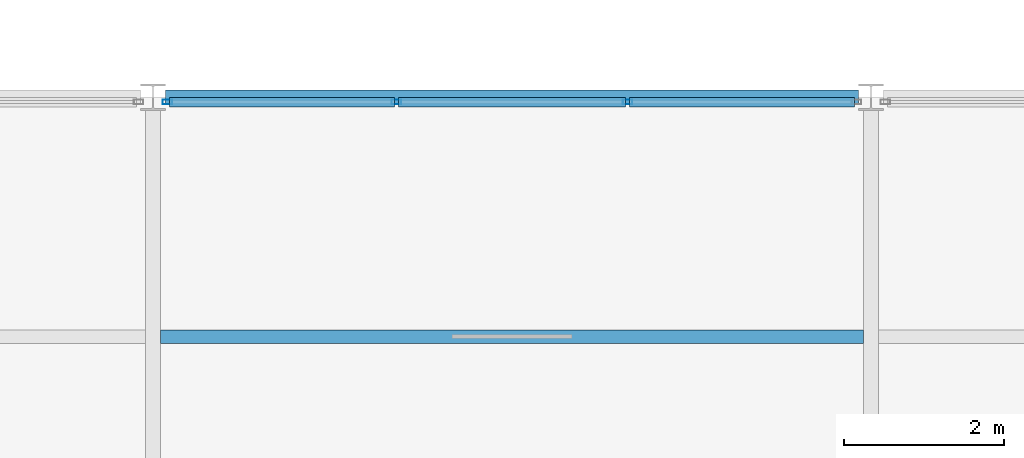
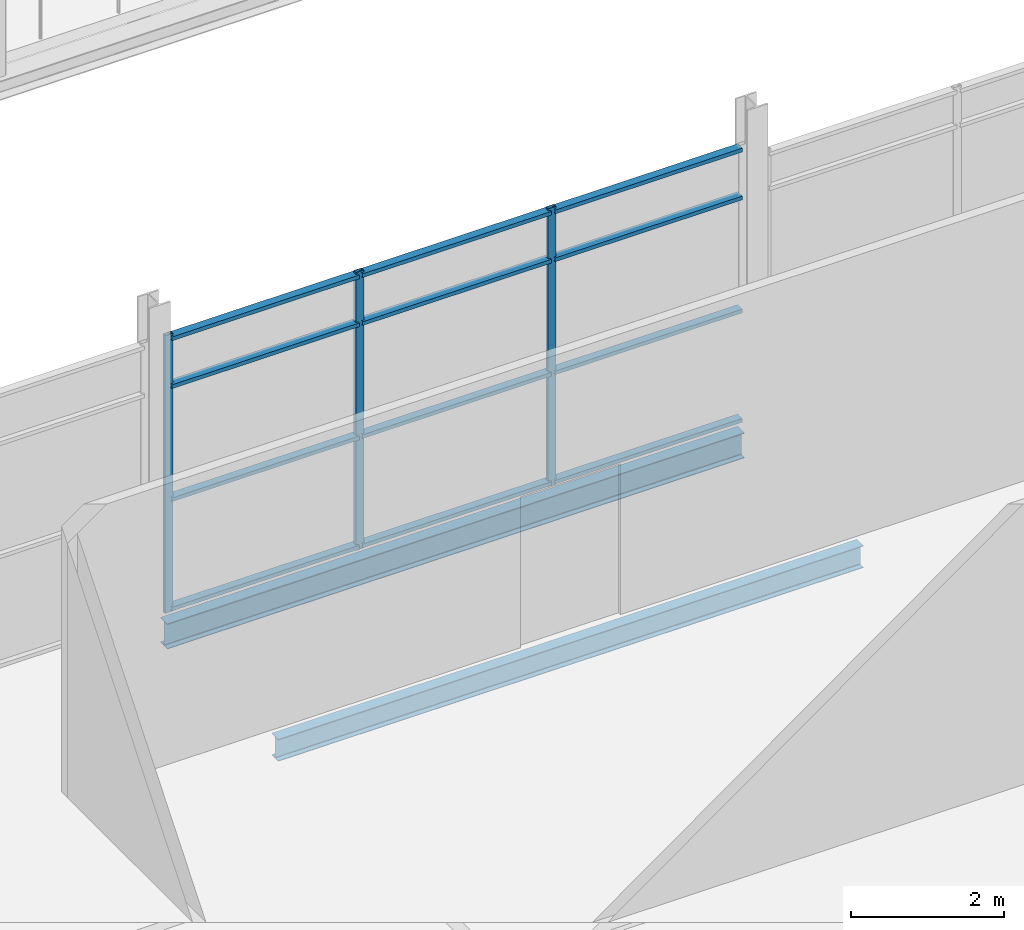
# One storey, part 27 of 115: 15 members, 2 beams, 1 element without a shape of its own.
"""IFC4 building model written with IfcOpenShell, lengths in metres."""

from ifc_helpers import new_model, si_unit, direction, frame, origin, origin_2d, place, context, subcontext, project, spatial, hollow_rectangle, i_section, extrude, material, layer, layer_set, material_profile, profile_set, type_object, element, aggregate, save


model = new_model("IFC4")

# Units and contexts
model_context = context("Model", 3, precision=1e-05, world=origin(), true_north=direction((0.0, 1.0)))
body_context = subcontext(model_context, "Body", "Model", "MODEL_VIEW")
ifc_project = project(units=[si_unit("LENGTHUNIT", "METRE"), si_unit("AREAUNIT", "SQUARE_METRE"), si_unit("VOLUMEUNIT", "CUBIC_METRE"), si_unit("PLANEANGLEUNIT", "RADIAN"), si_unit("MASSUNIT", "GRAM", prefix="KILO")], contexts=[model_context])

# Site, building, storey
site_placement = place(None, origin())
site = spatial("IfcSite", under=ifc_project, at=site_placement, CompositionType="ELEMENT")
building_placement = place(site_placement, origin())
building = spatial("IfcBuilding", under=site, at=building_placement, Name="Shorebreak Coast Museum", CompositionType="ELEMENT")
storey_placement = place(building_placement, frame((0.0, 0.0, 11.0)))
storey = spatial("IfcBuildingStorey", under=building, at=storey_placement, Name="L02", CompositionType="ELEMENT", Elevation=11.0)

# Beams
ifc_material_1 = material(Name="Steel Grade 300", Category="steel")
ifc_material_profile_1 = material_profile(ifc_material_1, i_section(OverallWidth=0.177978515625, OverallDepth=0.402587890625, WebThickness=0.007568359375, FlangeThickness=0.010986328125, FilletRadius=0.011474609375, at=origin_2d()), Name="410UB53.7")
ifc_profile_set_1 = profile_set([ifc_material_profile_1], Name="Steel Grade 300")
beam_type_1 = type_object("IfcBeamType", Name="Floor girder east-west 410UB53.7", PredefinedType="BEAM", material=ifc_profile_set_1)
beam_1_placement = place(storey_placement, frame((72.155517578125, 63.0, -0.376220703125), z_axis=(1.0, 0.0, 0.0), x_axis=(0.0, 1.0, 0.0)))
element("IfcBeam", 1, at=beam_1_placement, inside=storey, type_object=beam_type_1, Name="Floor girder east-west L02 9H", PredefinedType="BEAM", context=body_context, shape_type="SweptSolid", body=[
    extrude(i_section(OverallWidth=0.177978515625, OverallDepth=0.402587890625, WebThickness=0.007568359375, FlangeThickness=0.010986328125, FilletRadius=0.011474609375, at=origin_2d()), origin(), (0.0, 0.0, 1.0), 8.68896484375),
])
ifc_material_2 = material(Name="Steel Grade 300", Category="steel")
ifc_material_profile_2 = material_profile(ifc_material_2, i_section(OverallWidth=0.1708984375, OverallDepth=0.35205078125, WebThickness=0.0068359375, FlangeThickness=0.009765625, FilletRadius=0.011474609375, at=origin_2d()), Name="360UB44.7")
ifc_profile_set_2 = profile_set([ifc_material_profile_2], Name="Steel Grade 300")
beam_type_2 = type_object("IfcBeamType", Name="Floor joist 360UB44.7", PredefinedType="JOIST", material=ifc_profile_set_2)
beam_2_placement = place(storey_placement, frame((72.095458984375, 60.0, -0.35107421875), z_axis=(1.0, 0.0, 0.0), x_axis=(0.0, 1.0, 0.0)))
element("IfcBeam", 2, at=beam_2_placement, inside=storey, type_object=beam_type_2, Name="Floor joist L02 bay 9G at 6000 mm", PredefinedType="JOIST", context=body_context, shape_type="SweptSolid", body=[
    extrude(i_section(OverallWidth=0.1708984375, OverallDepth=0.35205078125, WebThickness=0.0068359375, FlangeThickness=0.009765625, FilletRadius=0.011474609375, at=origin_2d()), origin(), (0.0, 0.0, 1.0), 8.80908203125),
])

# Curtain wall, members
ifc_material_3 = material(Name="Aluminium", Category="aluminium")
ifc_layer = layer(ifc_material_3, 0.1201171875)
ifc_layer_set = layer_set([ifc_layer], Name="Aluminium")
curtain_wall_type = type_object("IfcCurtainWallType", Name="Atrium fire screen", PredefinedType="NOTDEFINED", material=ifc_layer_set)
curtain_wall_placement = place(storey_placement, origin())
curtain_wall = element("IfcCurtainWall", 3, at=curtain_wall_placement, inside=storey, type_object=curtain_wall_type, Name="Atrium screen L02 S 17", PredefinedType="NOTDEFINED")
ifc_material_4 = material(Name="Aluminium", Category="aluminium")
ifc_material_profile_3 = material_profile(ifc_material_4, hollow_rectangle(XDim=0.06005859375, YDim=0.1201171875, WallThickness=0.00341796875, at=origin_2d()), Name="AL 120x60 RHS")
ifc_profile_set_3 = profile_set([ifc_material_profile_3], Name="Aluminium")
member_type_1 = type_object("IfcMemberType", Name="Screen mullion 50 x 120", PredefinedType="MULLION", material=ifc_profile_set_3)
member_1_placement = place(storey_placement, frame((72.180419921875, 62.93994140625, 0.0), z_axis=(0.0, 0.0, 1.0), x_axis=(0.0, 1.0, 0.0)))
member_1 = element("IfcMember", 4, at=member_1_placement, type_object=member_type_1, Name="CW6 mullion 1", PredefinedType="MULLION", context=body_context, shape_type="SweptSolid", body=[
    extrude(hollow_rectangle(XDim=0.06005859375, YDim=0.1201171875, WallThickness=0.00341796875, at=origin_2d()), origin(), (0.0, 0.0, 1.0), 4.42236328125),
])
member_2_placement = place(storey_placement, frame((75.0517578125, 62.93994140625, 0.0), z_axis=(0.0, 0.0, 1.0), x_axis=(0.0, 1.0, 0.0)))
member_2 = element("IfcMember", 5, at=member_2_placement, type_object=member_type_1, Name="CW6 mullion 2", PredefinedType="MULLION", context=body_context, shape_type="SweptSolid", body=[
    extrude(hollow_rectangle(XDim=0.06005859375, YDim=0.1201171875, WallThickness=0.00341796875, at=origin_2d()), origin(), (0.0, 0.0, 1.0), 4.42236328125),
])
member_3_placement = place(storey_placement, frame((77.9482421875, 62.93994140625, 0.0), z_axis=(0.0, 0.0, 1.0), x_axis=(0.0, 1.0, 0.0)))
member_3 = element("IfcMember", 6, at=member_3_placement, type_object=member_type_1, Name="CW6 mullion 3", PredefinedType="MULLION", context=body_context, shape_type="SweptSolid", body=[
    extrude(hollow_rectangle(XDim=0.06005859375, YDim=0.1201171875, WallThickness=0.00341796875, at=origin_2d()), origin(), (0.0, 0.0, 1.0), 4.42236328125),
])
ifc_material_5 = material(Name="Aluminium", Category="aluminium")
ifc_material_profile_4 = material_profile(ifc_material_5, hollow_rectangle(XDim=0.1201171875, YDim=0.06005859375, WallThickness=0.00341796875, at=origin_2d()), Name="AL 60x120 RHS")
ifc_profile_set_4 = profile_set([ifc_material_profile_4], Name="Aluminium")
member_type_2 = type_object("IfcMemberType", Name="Screen transom 120 x 50", PredefinedType="USERDEFINED", material=ifc_profile_set_4)
member_4_placement = place(storey_placement, frame((72.20556640625, 62.93994140625, 0.06005859375), z_axis=(1.0, 0.0, 0.0), x_axis=(0.0, 1.0, 0.0)))
member_4 = element("IfcMember", 7, at=member_4_placement, type_object=member_type_2, Name="CW6 transom 1.1", ObjectType="TRANSOM", PredefinedType="USERDEFINED", context=body_context, shape_type="SweptSolid", body=[
    extrude(hollow_rectangle(XDim=0.1201171875, YDim=0.06005859375, WallThickness=0.00341796875, at=origin_2d()), origin(), (0.0, 0.0, 1.0), 2.8212890625),
])
member_5_placement = place(storey_placement, frame((72.20556640625, 62.93994140625, 1.800048828125), z_axis=(1.0, 0.0, 0.0), x_axis=(0.0, 1.0, 0.0)))
member_5 = element("IfcMember", 8, at=member_5_placement, type_object=member_type_2, Name="CW6 transom 1.2", ObjectType="TRANSOM", PredefinedType="USERDEFINED", context=body_context, shape_type="SweptSolid", body=[
    extrude(hollow_rectangle(XDim=0.1201171875, YDim=0.06005859375, WallThickness=0.00341796875, at=origin_2d()), origin(), (0.0, 0.0, 1.0), 2.8212890625),
])
member_6_placement = place(storey_placement, frame((72.20556640625, 62.93994140625, 3.60009765625), z_axis=(1.0, 0.0, 0.0), x_axis=(0.0, 1.0, 0.0)))
member_6 = element("IfcMember", 9, at=member_6_placement, type_object=member_type_2, Name="CW6 transom 1.3", ObjectType="TRANSOM", PredefinedType="USERDEFINED", context=body_context, shape_type="SweptSolid", body=[
    extrude(hollow_rectangle(XDim=0.1201171875, YDim=0.06005859375, WallThickness=0.00341796875, at=origin_2d()), origin(), (0.0, 0.0, 1.0), 2.8212890625),
])
member_7_placement = place(storey_placement, frame((72.20556640625, 62.93994140625, 4.3623046875), z_axis=(1.0, 0.0, 0.0), x_axis=(0.0, 1.0, 0.0)))
member_7 = element("IfcMember", 10, at=member_7_placement, type_object=member_type_2, Name="CW6 transom 1.4", ObjectType="TRANSOM", PredefinedType="USERDEFINED", context=body_context, shape_type="SweptSolid", body=[
    extrude(hollow_rectangle(XDim=0.1201171875, YDim=0.06005859375, WallThickness=0.00341796875, at=origin_2d()), origin(), (0.0, 0.0, 1.0), 2.8212890625),
])
member_8_placement = place(storey_placement, frame((75.076904296875, 62.93994140625, 0.06005859375), z_axis=(1.0, 0.0, 0.0), x_axis=(0.0, 1.0, 0.0)))
member_8 = element("IfcMember", 11, at=member_8_placement, type_object=member_type_2, Name="CW6 transom 2.1", ObjectType="TRANSOM", PredefinedType="USERDEFINED", context=body_context, shape_type="SweptSolid", body=[
    extrude(hollow_rectangle(XDim=0.1201171875, YDim=0.06005859375, WallThickness=0.00341796875, at=origin_2d()), origin(), (0.0, 0.0, 1.0), 2.84619140625),
])
member_9_placement = place(storey_placement, frame((75.076904296875, 62.93994140625, 1.800048828125), z_axis=(1.0, 0.0, 0.0), x_axis=(0.0, 1.0, 0.0)))
member_9 = element("IfcMember", 12, at=member_9_placement, type_object=member_type_2, Name="CW6 transom 2.2", ObjectType="TRANSOM", PredefinedType="USERDEFINED", context=body_context, shape_type="SweptSolid", body=[
    extrude(hollow_rectangle(XDim=0.1201171875, YDim=0.06005859375, WallThickness=0.00341796875, at=origin_2d()), origin(), (0.0, 0.0, 1.0), 2.84619140625),
])
member_10_placement = place(storey_placement, frame((75.076904296875, 62.93994140625, 3.60009765625), z_axis=(1.0, 0.0, 0.0), x_axis=(0.0, 1.0, 0.0)))
member_10 = element("IfcMember", 13, at=member_10_placement, type_object=member_type_2, Name="CW6 transom 2.3", ObjectType="TRANSOM", PredefinedType="USERDEFINED", context=body_context, shape_type="SweptSolid", body=[
    extrude(hollow_rectangle(XDim=0.1201171875, YDim=0.06005859375, WallThickness=0.00341796875, at=origin_2d()), origin(), (0.0, 0.0, 1.0), 2.84619140625),
])
member_11_placement = place(storey_placement, frame((75.076904296875, 62.93994140625, 4.3623046875), z_axis=(1.0, 0.0, 0.0), x_axis=(0.0, 1.0, 0.0)))
member_11 = element("IfcMember", 14, at=member_11_placement, type_object=member_type_2, Name="CW6 transom 2.4", ObjectType="TRANSOM", PredefinedType="USERDEFINED", context=body_context, shape_type="SweptSolid", body=[
    extrude(hollow_rectangle(XDim=0.1201171875, YDim=0.06005859375, WallThickness=0.00341796875, at=origin_2d()), origin(), (0.0, 0.0, 1.0), 2.84619140625),
])
member_12_placement = place(storey_placement, frame((77.97314453125, 62.93994140625, 0.06005859375), z_axis=(1.0, 0.0, 0.0), x_axis=(0.0, 1.0, 0.0)))
member_12 = element("IfcMember", 15, at=member_12_placement, type_object=member_type_2, Name="CW6 transom 3.1", ObjectType="TRANSOM", PredefinedType="USERDEFINED", context=body_context, shape_type="SweptSolid", body=[
    extrude(hollow_rectangle(XDim=0.1201171875, YDim=0.06005859375, WallThickness=0.00341796875, at=origin_2d()), origin(), (0.0, 0.0, 1.0), 2.8212890625),
])
member_13_placement = place(storey_placement, frame((77.97314453125, 62.93994140625, 1.800048828125), z_axis=(1.0, 0.0, 0.0), x_axis=(0.0, 1.0, 0.0)))
member_13 = element("IfcMember", 16, at=member_13_placement, type_object=member_type_2, Name="CW6 transom 3.2", ObjectType="TRANSOM", PredefinedType="USERDEFINED", context=body_context, shape_type="SweptSolid", body=[
    extrude(hollow_rectangle(XDim=0.1201171875, YDim=0.06005859375, WallThickness=0.00341796875, at=origin_2d()), origin(), (0.0, 0.0, 1.0), 2.8212890625),
])
member_14_placement = place(storey_placement, frame((77.97314453125, 62.93994140625, 3.60009765625), z_axis=(1.0, 0.0, 0.0), x_axis=(0.0, 1.0, 0.0)))
member_14 = element("IfcMember", 17, at=member_14_placement, type_object=member_type_2, Name="CW6 transom 3.3", ObjectType="TRANSOM", PredefinedType="USERDEFINED", context=body_context, shape_type="SweptSolid", body=[
    extrude(hollow_rectangle(XDim=0.1201171875, YDim=0.06005859375, WallThickness=0.00341796875, at=origin_2d()), origin(), (0.0, 0.0, 1.0), 2.8212890625),
])
member_15_placement = place(storey_placement, frame((77.97314453125, 62.93994140625, 4.3623046875), z_axis=(1.0, 0.0, 0.0), x_axis=(0.0, 1.0, 0.0)))
member_15 = element("IfcMember", 18, at=member_15_placement, type_object=member_type_2, Name="CW6 transom 3.4", ObjectType="TRANSOM", PredefinedType="USERDEFINED", context=body_context, shape_type="SweptSolid", body=[
    extrude(hollow_rectangle(XDim=0.1201171875, YDim=0.06005859375, WallThickness=0.00341796875, at=origin_2d()), origin(), (0.0, 0.0, 1.0), 2.8212890625),
])
aggregate(curtain_wall, [member_1, member_2, member_3, member_4, member_5, member_6, member_7, member_8, member_9, member_10, member_11, member_12, member_13, member_14, member_15])

save(model, "model.ifc")
